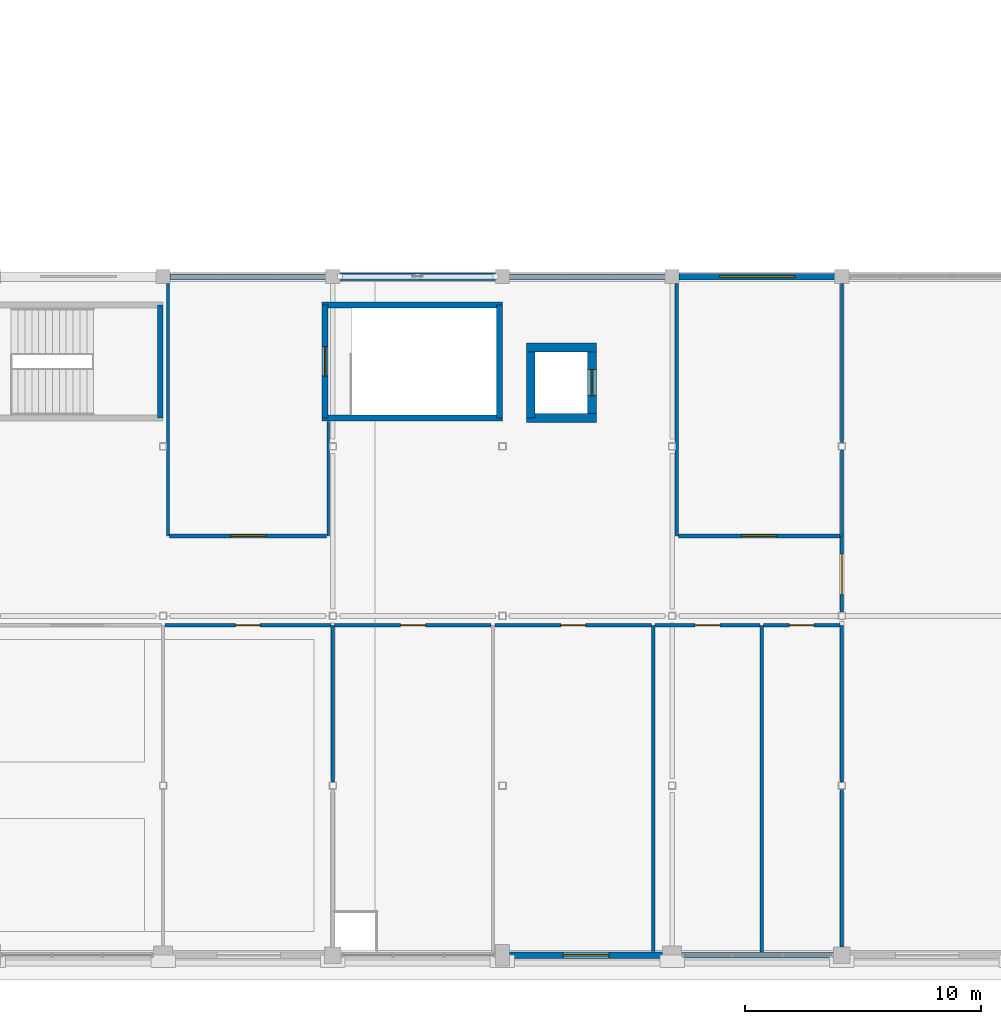
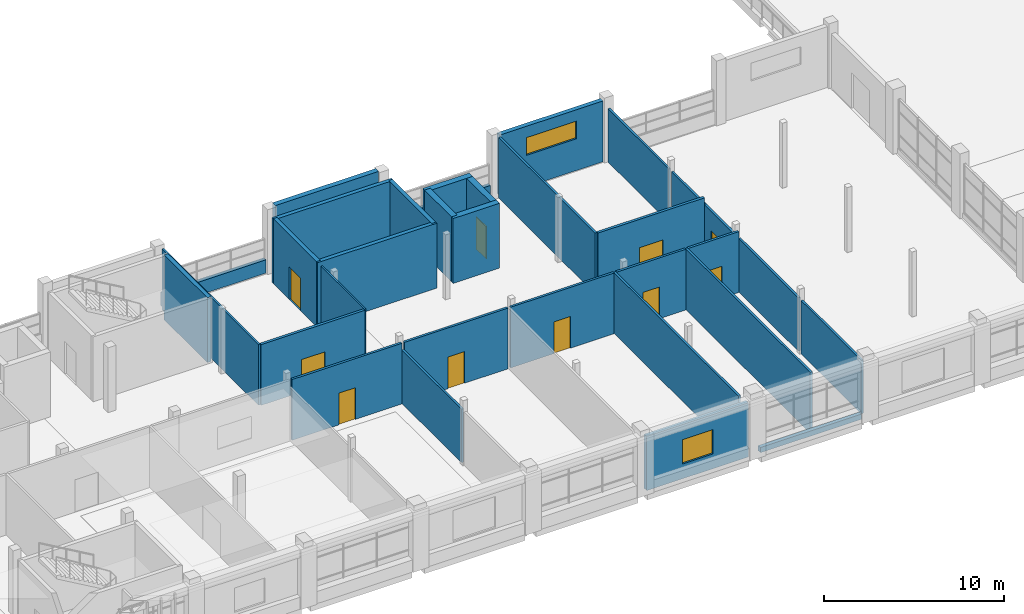
# One storey, part 50 of 71: 33 walls, 10 doors, 2 windows, 12 openings.
"""IFC4 building model written with IfcOpenShell, lengths in metres."""

from ifc_helpers import new_model, si_unit, direction, frame, frame_2d, origin, place, context, subcontext, project, spatial, rectangle, extrude, material, layer, layer_set, type_object, element, fill, save


model = new_model("IFC4")

# Units and contexts
model_context = context("Model", 3, precision=1e-05, world=origin(), true_north=direction((0.0, 1.0)))
body_context = subcontext(model_context, "Body", "Model", "MODEL_VIEW")
ifc_project = project(units=[si_unit("LENGTHUNIT", "METRE"), si_unit("AREAUNIT", "SQUARE_METRE"), si_unit("VOLUMEUNIT", "CUBIC_METRE"), si_unit("PLANEANGLEUNIT", "RADIAN"), si_unit("MASSUNIT", "GRAM", prefix="KILO")], contexts=[model_context])

# Site, building, storey
site_placement = place(None, origin())
site = spatial("IfcSite", under=ifc_project, at=site_placement, CompositionType="ELEMENT")
building_placement = place(site_placement, origin())
building = spatial("IfcBuilding", under=site, at=building_placement, Name="Sardonyx Promenade Sports Hall", CompositionType="ELEMENT")
storey_placement = place(building_placement, frame((0.0, 0.0, 16.0)))
storey = spatial("IfcBuildingStorey", under=building, at=storey_placement, Name="L03", CompositionType="ELEMENT", Elevation=16.0)

# Wall, opening, door
ifc_material_1 = material(Name="Concrete C40/50", Category="concrete")
ifc_layer_1 = layer(ifc_material_1, 0.3798828125)
ifc_layer_set_1 = layer_set([ifc_layer_1], Name="Wall_Core_Shear_380")
wall_type_1 = type_object("IfcWallType", Name="Wall_Core_Shear_380", PredefinedType="SHEAR", material=ifc_layer_set_1)
wall_1_placement = place(storey_placement, frame((83.0, 22.800048828125, 0.0), z_axis=(0.0, 0.0, 1.0), x_axis=(0.0, 1.0, 0.0)))
wall_1 = element("IfcWall", 1, at=wall_1_placement, inside=storey, type_object=wall_type_1, Name="Lift shaft wall LF2 L03 E", PredefinedType="SHEAR", context=body_context, shape_type="SweptSolid", body=[
    extrude(rectangle(XDim=3.0, YDim=0.3798828125, at=frame_2d((1.5, 0.0))), origin(), (0.0, 0.0, 1.0), 4.39990234375),
])
opening_1_placement = place(wall_1_placement, frame((0.949951171875, 0.0, 0.0)))
opening_1 = element("IfcOpeningElement", 2, at=opening_1_placement, cuts=wall_1, Name="Opening LD01", PredefinedType="OPENING", context=body_context, shape_type="SweptSolid", body=[
    extrude(rectangle(XDim=1.10009765625, YDim=2.199951171875, at=frame_2d((0.550048828125, 1.10009765625))), frame((0.0, 0.2, 0.0), z_axis=(0.0, -1.0, 0.0), x_axis=(1.0, 0.0, 0.0)), (0.0, 0.0, 1.0), 0.4),
])
ifc_material_2 = material(Name="Fire-rated stainless steel sliding lift door", Category="steel")
door_type_1 = type_object("IfcDoorType", Name="Door_Lift_Pass_110x220", OperationType="NOTDEFINED", PredefinedType="DOOR", material=ifc_material_2)
door_1_placement = place(opening_1_placement, origin())
door_1 = element("IfcDoor", 3, at=door_1_placement, inside=storey, type_object=door_type_1, Name="Lift landing sliding door LD-LF2-L03", OperationType="SLIDING_TO_LEFT", OverallHeight=2.199951171875, OverallWidth=1.10009765625, PredefinedType="DOOR", context=body_context, shape_type="SweptSolid", body=[
    extrude(rectangle(XDim=1.10009765625, YDim=2.199951171875, at=frame_2d((0.550048828125, 1.10009765625))), frame((0.0, 0.02490234375, 0.0), z_axis=(0.0, -1.0, 0.0), x_axis=(1.0, 0.0, 0.0)), (0.0, 0.0, 1.0), 0.050048828125),
])
fill(opening_1, door_1)

# Walls
wall_2_placement = place(storey_placement, frame((80.2099609375, 25.800048828125, 0.0), z_axis=(0.0, 0.0, 1.0), x_axis=(1.0, 0.0, 0.0)))
element("IfcWall", 4, at=wall_2_placement, inside=storey, type_object=wall_type_1, Name="Lift shaft wall LF2 L03 N", PredefinedType="SHEAR", context=body_context, shape_type="SweptSolid", body=[
    extrude(rectangle(XDim=2.97998046875, YDim=0.3798828125, at=frame_2d((1.489990234375, 0.0))), origin(), (0.0, 0.0, 1.0), 4.39990234375),
])
wall_3_placement = place(storey_placement, frame((80.39990234375, 25.800048828125, 0.0), z_axis=(0.0, 0.0, 1.0), x_axis=(0.0, -1.0, 0.0)))
element("IfcWall", 5, at=wall_3_placement, inside=storey, type_object=wall_type_1, Name="Lift shaft wall LF2 L03 W", PredefinedType="SHEAR", context=body_context, shape_type="SweptSolid", body=[
    extrude(rectangle(XDim=3.0, YDim=0.3798828125, at=frame_2d((1.5, 0.0))), origin(), (0.0, 0.0, 1.0), 4.39990234375),
])
wall_4_placement = place(storey_placement, frame((83.18994140625, 22.800048828125, 0.0), z_axis=(0.0, 0.0, 1.0), x_axis=(-1.0, 0.0, 0.0)))
element("IfcWall", 6, at=wall_4_placement, inside=storey, type_object=wall_type_1, Name="Lift shaft wall LF2 L03 S", PredefinedType="SHEAR", context=body_context, shape_type="SweptSolid", body=[
    extrude(rectangle(XDim=2.97998046875, YDim=0.3798828125, at=frame_2d((1.489990234375, 0.0))), origin(), (0.0, 0.0, 1.0), 4.39990234375),
])
ifc_material_3 = material(Name="Concrete C40/50", Category="concrete")
ifc_layer_2 = layer(ifc_material_3, 0.320068359375)
ifc_layer_set_2 = layer_set([ifc_layer_2], Name="Wall_Ext_Court_320")
wall_type_2 = type_object("IfcWallType", Name="Wall_Ext_Court_320", PredefinedType="SOLIDWALL", material=ifc_layer_set_2)
wall_5_placement = place(storey_placement, frame((72.284912109375, 28.800048828125, 0.0), z_axis=(0.0, 0.0, 1.0), x_axis=(1.0, 0.0, 0.0)))
element("IfcWall", 7, at=wall_5_placement, inside=storey, type_object=wall_type_2, Name="Exterior wall EW01 L03 #260", PredefinedType="SOLIDWALL", context=body_context, shape_type="SweptSolid", body=[
    extrude(rectangle(XDim=6.630126953125, YDim=0.320068359375, at=frame_2d((3.31494140625, 0.0))), origin(), (0.0, 0.0, 1.0), 4.39990234375),
])
ifc_material_4 = material(Name="Masonry CMU 15 MPa", Category="masonry")
ifc_layer_3 = layer(ifc_material_4, 0.239990234375)
ifc_layer_set_3 = layer_set([ifc_layer_3], Name="Wall_Ext_Spandrel_240")
wall_type_3 = type_object("IfcWallType", Name="Wall_Ext_Spandrel_240", PredefinedType="SOLIDWALL", material=ifc_layer_set_3)
wall_6_placement = place(storey_placement, frame((93.264892578125, 0.0, 0.0), z_axis=(0.0, 0.0, 1.0), x_axis=(-1.0, 0.0, 0.0)))
element("IfcWall", 8, at=wall_6_placement, inside=storey, type_object=wall_type_3, Name="Curtain-wall sill spandrel L03 #79", PredefinedType="SOLIDWALL", context=body_context, shape_type="SweptSolid", body=[
    extrude(rectangle(XDim=6.47998046875, YDim=0.239990234375, at=frame_2d((3.239990234375, 0.0))), origin(), (0.0, 0.0, 1.0), 0.35009765625),
])
wall_7_placement = place(storey_placement, frame((65.0849609375, 28.800048828125, 0.0), z_axis=(0.0, 0.0, 1.0), x_axis=(1.0, 0.0, 0.0)))
element("IfcWall", 9, at=wall_7_placement, inside=storey, type_object=wall_type_3, Name="Curtain-wall sill spandrel L03 #259", PredefinedType="SOLIDWALL", context=body_context, shape_type="SweptSolid", body=[
    extrude(rectangle(XDim=6.630126953125, YDim=0.239990234375, at=frame_2d((3.31494140625, 0.0))), origin(), (0.0, 0.0, 1.0), 0.89990234375),
])
wall_8_placement = place(storey_placement, frame((79.485107421875, 28.800048828125, 0.0), z_axis=(0.0, 0.0, 1.0), x_axis=(1.0, 0.0, 0.0)))
element("IfcWall", 10, at=wall_8_placement, inside=storey, type_object=wall_type_3, Name="Curtain-wall sill spandrel L03 #261", PredefinedType="SOLIDWALL", context=body_context, shape_type="SweptSolid", body=[
    extrude(rectangle(XDim=6.6298828125, YDim=0.239990234375, at=frame_2d((3.31494140625, 0.0))), origin(), (0.0, 0.0, 1.0), 0.89990234375),
])

# Wall, opening, window
ifc_material_5 = material(Name="Concrete C40/50", Category="concrete")
ifc_layer_4 = layer(ifc_material_5, 0.280029296875)
ifc_layer_set_4 = layer_set([ifc_layer_4], Name="Wall_Ext_Wing_280")
wall_type_4 = type_object("IfcWallType", Name="Wall_Ext_Wing_280", PredefinedType="SOLIDWALL", material=ifc_layer_set_4)
wall_9_placement = place(storey_placement, frame((86.014892578125, 0.0, 0.0), z_axis=(0.0, 0.0, 1.0), x_axis=(-1.0, 0.0, 0.0)))
wall_9 = element("IfcWall", 11, at=wall_9_placement, inside=storey, type_object=wall_type_4, Name="Exterior wall EW02 L03 #80", PredefinedType="SOLIDWALL", context=body_context, shape_type="SweptSolid", body=[
    extrude(rectangle(XDim=6.52978515625, YDim=0.280029296875, at=frame_2d((3.264892578125, 0.0))), origin(), (0.0, 0.0, 1.0), 3.675048828125),
])
opening_2_placement = place(wall_9_placement, frame((2.2900390625, 0.0, 1.0)))
opening_2 = element("IfcOpeningElement", 12, at=opening_2_placement, cuts=wall_9, Name="Opening W11", PredefinedType="OPENING", context=body_context, shape_type="SweptSolid", body=[
    extrude(rectangle(XDim=1.949951171875, YDim=1.64990234375, at=frame_2d((0.97509765625, 0.824951171875))), frame((0.0, 0.15, 0.0), z_axis=(0.0, -1.0, 0.0), x_axis=(1.0, 0.0, 0.0)), (0.0, 0.0, 1.0), 0.3),
])
ifc_material_6 = material(Name="Double-glazed solar low-E aluminium window", Category="aluminium")
window_type_1 = type_object("IfcWindowType", Name="Win_Office_195x165", PartitioningType="DOUBLE_PANEL_VERTICAL", PredefinedType="WINDOW", material=ifc_material_6)
window_1_placement = place(opening_2_placement, origin())
window_1 = element("IfcWindow", 13, at=window_1_placement, inside=storey, type_object=window_type_1, Name="Facade window W11 L03 #32", OverallHeight=1.64990234375, OverallWidth=1.949951171875, PartitioningType="SINGLE_PANEL", PredefinedType="WINDOW", context=body_context, shape_type="SweptSolid", body=[
    extrude(rectangle(XDim=1.949951171875, YDim=1.64990234375, at=frame_2d((0.97509765625, 0.824951171875))), frame((0.0, 0.030029296875, 0.0), z_axis=(0.0, -1.0, 0.0), x_axis=(1.0, 0.0, 0.0)), (0.0, 0.0, 1.0), 0.06005859375),
])
fill(opening_2, window_1)

wall_10_placement = place(storey_placement, frame((86.68505859375, 28.800048828125, 0.0), z_axis=(0.0, 0.0, 1.0), x_axis=(1.0, 0.0, 0.0)))
wall_10 = element("IfcWall", 14, at=wall_10_placement, inside=storey, type_object=wall_type_4, Name="Exterior wall EW02 L03 #262", PredefinedType="SOLIDWALL", context=body_context, shape_type="SweptSolid", body=[
    extrude(rectangle(XDim=6.6298828125, YDim=0.280029296875, at=frame_2d((3.31494140625, 0.0))), origin(), (0.0, 0.0, 1.0), 4.1201171875),
])
opening_3_placement = place(wall_10_placement, frame((1.715087890625, 0.0, 2.14990234375)))
opening_3 = element("IfcOpeningElement", 15, at=opening_3_placement, cuts=wall_10, Name="Opening W22", PredefinedType="OPENING", context=body_context, shape_type="SweptSolid", body=[
    extrude(rectangle(XDim=3.199951171875, YDim=1.199951171875, at=frame_2d((1.60009765625, 0.60009765625))), frame((0.0, 0.15, 0.0), z_axis=(0.0, -1.0, 0.0), x_axis=(1.0, 0.0, 0.0)), (0.0, 0.0, 1.0), 0.3),
])
ifc_material_7 = material(Name="Double-glazed solar low-E aluminium window", Category="aluminium")
window_type_2 = type_object("IfcWindowType", Name="Win_Clerestory_320x120", PartitioningType="DOUBLE_PANEL_VERTICAL", PredefinedType="WINDOW", material=ifc_material_7)
window_2_placement = place(opening_3_placement, origin())
window_2 = element("IfcWindow", 16, at=window_2_placement, inside=storey, type_object=window_type_2, Name="Facade window W22 L03 #102", OverallHeight=1.199951171875, OverallWidth=3.199951171875, PartitioningType="SINGLE_PANEL", PredefinedType="WINDOW", context=body_context, shape_type="SweptSolid", body=[
    extrude(rectangle(XDim=3.199951171875, YDim=1.199951171875, at=frame_2d((1.60009765625, 0.60009765625))), frame((0.0, 0.030029296875, 0.0), z_axis=(0.0, -1.0, 0.0), x_axis=(1.0, 0.0, 0.0)), (0.0, 0.0, 1.0), 0.06005859375),
])
fill(opening_3, window_2)

# Wall, opening, door
ifc_material_8 = material(Name="Twin-stud acoustic gypsum partition", Category="gypsum")
ifc_layer_5 = layer(ifc_material_8, 0.169921875)
ifc_layer_set_5 = layer_set([ifc_layer_5], Name="Wall_Part_Acoust_170")
wall_type_5 = type_object("IfcWallType", Name="Wall_Part_Acoust_170", PredefinedType="PARTITIONING", material=ifc_layer_set_5)
wall_11_placement = place(storey_placement, frame((65.070068359375, 17.800048828125, 0.0), z_axis=(0.0, 0.0, 1.0), x_axis=(1.0, 0.0, 0.0)))
wall_11 = element("IfcWall", 17, at=wall_11_placement, inside=storey, type_object=wall_type_5, Name="Interior partition PW06 L03 #341", PredefinedType="PARTITIONING", context=body_context, shape_type="SweptSolid", body=[
    extrude(rectangle(XDim=6.669921875, YDim=0.169921875, at=frame_2d((3.3349609375, 0.0))), origin(), (0.0, 0.0, 1.0), 4.1201171875),
])
opening_4_placement = place(wall_11_placement, frame((2.5849609375, 0.0, 0.0)))
opening_4 = element("IfcOpeningElement", 18, at=opening_4_placement, cuts=wall_11, Name="Opening ID10", PredefinedType="OPENING", context=body_context, shape_type="SweptSolid", body=[
    extrude(rectangle(XDim=1.5, YDim=2.199951171875, at=frame_2d((0.75, 1.10009765625))), frame((0.0, 0.095, 0.0), z_axis=(0.0, -1.0, 0.0), x_axis=(1.0, 0.0, 0.0)), (0.0, 0.0, 1.0), 0.19),
])
ifc_material_9 = material(Name="Double studio entrance fire door FD30S", Category="wood")
door_type_2 = type_object("IfcDoorType", Name="Door_Corr_FD30_150x220", OperationType="NOTDEFINED", PredefinedType="DOOR", material=ifc_material_9)
door_2_placement = place(opening_4_placement, origin())
door_2 = element("IfcDoor", 19, at=door_2_placement, inside=storey, type_object=door_type_2, Name="Interior door D03-109", OperationType="DOUBLE_DOOR_SINGLE_SWING", OverallHeight=2.199951171875, OverallWidth=1.5, PredefinedType="DOOR", context=body_context, shape_type="SweptSolid", body=[
    extrude(rectangle(XDim=1.5, YDim=2.199951171875, at=frame_2d((0.75, 1.10009765625))), frame((0.0, 0.02490234375, 0.0), z_axis=(0.0, -1.0, 0.0), x_axis=(1.0, 0.0, 0.0)), (0.0, 0.0, 1.0), 0.050048828125),
])
fill(opening_4, door_2)

wall_12_placement = place(storey_placement, frame((86.679931640625, 17.800048828125, 0.0), z_axis=(0.0, 0.0, 1.0), x_axis=(1.0, 0.0, 0.0)))
wall_12 = element("IfcWall", 20, at=wall_12_placement, inside=storey, type_object=wall_type_5, Name="Interior partition PW06 L03 #342", PredefinedType="PARTITIONING", context=body_context, shape_type="SweptSolid", body=[
    extrude(rectangle(XDim=6.8349609375, YDim=0.169921875, at=frame_2d((3.41748046875, 0.0))), origin(), (0.0, 0.0, 1.0), 4.1201171875),
])
opening_5_placement = place(wall_12_placement, frame((2.66748046875, 0.0, 0.0)))
opening_5 = element("IfcOpeningElement", 21, at=opening_5_placement, cuts=wall_12, Name="Opening ID10", PredefinedType="OPENING", context=body_context, shape_type="SweptSolid", body=[
    extrude(rectangle(XDim=1.5, YDim=2.199951171875, at=frame_2d((0.75, 1.10009765625))), frame((0.0, 0.095, 0.0), z_axis=(0.0, -1.0, 0.0), x_axis=(1.0, 0.0, 0.0)), (0.0, 0.0, 1.0), 0.19),
])
door_3_placement = place(opening_5_placement, origin())
door_3 = element("IfcDoor", 22, at=door_3_placement, inside=storey, type_object=door_type_2, Name="Interior door D03-110", OperationType="DOUBLE_DOOR_SINGLE_SWING", OverallHeight=2.199951171875, OverallWidth=1.5, PredefinedType="DOOR", context=body_context, shape_type="SweptSolid", body=[
    extrude(rectangle(XDim=1.5, YDim=2.199951171875, at=frame_2d((0.75, 1.10009765625))), frame((0.0, 0.02490234375, 0.0), z_axis=(0.0, -1.0, 0.0), x_axis=(1.0, 0.0, 0.0)), (0.0, 0.0, 1.0), 0.050048828125),
])
fill(opening_5, door_3)

# Wall
ifc_material_10 = material(Name="Hygienic clinical stud partition", Category="gypsum")
ifc_layer_6 = layer(ifc_material_10, 0.1201171875)
ifc_layer_set_6 = layer_set([ifc_layer_6], Name="Wall_Part_Clinic_120")
wall_type_6 = type_object("IfcWallType", Name="Wall_Part_Clinic_120", PredefinedType="PARTITIONING", material=ifc_layer_set_6)
wall_13_placement = place(storey_placement, frame((65.0, 17.800048828125, 0.0), z_axis=(0.0, 0.0, 1.0), x_axis=(0.0, 1.0, 0.0)))
element("IfcWall", 23, at=wall_13_placement, inside=storey, type_object=wall_type_6, Name="Interior partition PW02 L03 #320", PredefinedType="PARTITIONING", context=body_context, shape_type="SweptSolid", body=[
    extrude(rectangle(XDim=10.699951171875, YDim=0.1201171875, at=frame_2d((5.35009765625, 0.0))), origin(), (0.0, 0.0, 1.0), 4.1201171875),
])

# Wall, opening, door
ifc_material_11 = material(Name="Fire-rated stud gypsum partition", Category="gypsum")
ifc_layer_7 = layer(ifc_material_11, 0.14990234375)
ifc_layer_set_7 = layer_set([ifc_layer_7], Name="Wall_Part_Corridor_150")
wall_type_7 = type_object("IfcWallType", Name="Wall_Part_Corridor_150", PredefinedType="PARTITIONING", material=ifc_layer_set_7)
wall_14_placement = place(storey_placement, frame((93.60009765625, 14.550048828125, 0.0), z_axis=(0.0, 0.0, 1.0), x_axis=(0.0, 1.0, 0.0)))
wall_14 = element("IfcWall", 24, at=wall_14_placement, inside=storey, type_object=wall_type_7, Name="Interior partition PW04 L03 #326", PredefinedType="PARTITIONING", context=body_context, shape_type="SweptSolid", body=[
    extrude(rectangle(XDim=3.239990234375, YDim=0.14990234375, at=frame_2d((1.6201171875, 0.0))), origin(), (0.0, 0.0, 1.0), 3.6201171875),
])
opening_6_placement = place(wall_14_placement, frame((0.77001953125, 0.0, 0.0)))
opening_6 = element("IfcOpeningElement", 25, at=opening_6_placement, cuts=wall_14, Name="Opening ID03", PredefinedType="OPENING", context=body_context, shape_type="SweptSolid", body=[
    extrude(rectangle(XDim=1.699951171875, YDim=2.300048828125, at=frame_2d((0.85009765625, 1.14990234375))), frame((0.0, 0.085, 0.0), z_axis=(0.0, -1.0, 0.0), x_axis=(1.0, 0.0, 0.0)), (0.0, 0.0, 1.0), 0.17),
])
ifc_material_12 = material(Name="Double changing suite fire door FD30S", Category="wood")
door_type_3 = type_object("IfcDoorType", Name="Door_Corr_FD30_170x230", OperationType="NOTDEFINED", PredefinedType="DOOR", material=ifc_material_12)
door_4_placement = place(opening_6_placement, origin())
door_4 = element("IfcDoor", 26, at=door_4_placement, inside=storey, type_object=door_type_3, Name="Interior door D03-098", OperationType="DOUBLE_DOOR_SINGLE_SWING", OverallHeight=2.300048828125, OverallWidth=1.699951171875, PredefinedType="DOOR", context=body_context, shape_type="SweptSolid", body=[
    extrude(rectangle(XDim=1.699951171875, YDim=2.300048828125, at=frame_2d((0.85009765625, 1.14990234375))), frame((0.0, 0.02490234375, 0.0), z_axis=(0.0, -1.0, 0.0), x_axis=(1.0, 0.0, 0.0)), (0.0, 0.0, 1.0), 0.050048828125),
])
fill(opening_6, door_4)

wall_15_placement = place(storey_placement, frame((64.8701171875, 14.0, 0.0), z_axis=(0.0, 0.0, 1.0), x_axis=(1.0, 0.0, 0.0)))
wall_15 = element("IfcWall", 27, at=wall_15_placement, inside=storey, type_object=wall_type_7, Name="Interior partition PW04 L03 #333", PredefinedType="PARTITIONING", context=body_context, shape_type="SweptSolid", body=[
    extrude(rectangle(XDim=7.0498046875, YDim=0.14990234375, at=frame_2d((3.52490234375, 0.0))), origin(), (0.0, 0.0, 1.0), 4.1201171875),
])
opening_7_placement = place(wall_15_placement, frame((3.0, 0.0, 0.0)))
opening_7 = element("IfcOpeningElement", 28, at=opening_7_placement, cuts=wall_15, Name="Opening ID07", PredefinedType="OPENING", context=body_context, shape_type="SweptSolid", body=[
    extrude(rectangle(XDim=1.050048828125, YDim=2.14990234375, at=frame_2d((0.52490234375, 1.074951171875))), frame((0.0, 0.085, 0.0), z_axis=(0.0, -1.0, 0.0), x_axis=(1.0, 0.0, 0.0)), (0.0, 0.0, 1.0), 0.17),
])
ifc_material_13 = material(Name="Hardwood accessible fire door FD30S", Category="wood")
door_type_4 = type_object("IfcDoorType", Name="Door_Corr_FD30_105x215", OperationType="NOTDEFINED", PredefinedType="DOOR", material=ifc_material_13)
door_5_placement = place(opening_7_placement, origin())
door_5 = element("IfcDoor", 29, at=door_5_placement, inside=storey, type_object=door_type_4, Name="Interior door D03-101", OperationType="SINGLE_SWING_RIGHT", OverallHeight=2.14990234375, OverallWidth=1.050048828125, PredefinedType="DOOR", context=body_context, shape_type="SweptSolid", body=[
    extrude(rectangle(XDim=1.050048828125, YDim=2.14990234375, at=frame_2d((0.52490234375, 1.074951171875))), frame((0.0, 0.02490234375, 0.0), z_axis=(0.0, -1.0, 0.0), x_axis=(1.0, 0.0, 0.0)), (0.0, 0.0, 1.0), 0.050048828125),
])
fill(opening_7, door_5)

wall_16_placement = place(storey_placement, frame((72.080078125, 14.0, 0.0), z_axis=(0.0, 0.0, 1.0), x_axis=(1.0, 0.0, 0.0)))
wall_16 = element("IfcWall", 30, at=wall_16_placement, inside=storey, type_object=wall_type_7, Name="Interior partition PW04 L03 #334", PredefinedType="PARTITIONING", context=body_context, shape_type="SweptSolid", body=[
    extrude(rectangle(XDim=6.639892578125, YDim=0.14990234375, at=frame_2d((3.31982421875, 0.0))), origin(), (0.0, 0.0, 1.0), 4.1201171875),
])
opening_8_placement = place(wall_16_placement, frame((2.794921875, 0.0, 0.0)))
opening_8 = element("IfcOpeningElement", 31, at=opening_8_placement, cuts=wall_16, Name="Opening ID07", PredefinedType="OPENING", context=body_context, shape_type="SweptSolid", body=[
    extrude(rectangle(XDim=1.050048828125, YDim=2.14990234375, at=frame_2d((0.52490234375, 1.074951171875))), frame((0.0, 0.085, 0.0), z_axis=(0.0, -1.0, 0.0), x_axis=(1.0, 0.0, 0.0)), (0.0, 0.0, 1.0), 0.17),
])
door_6_placement = place(opening_8_placement, origin())
door_6 = element("IfcDoor", 32, at=door_6_placement, inside=storey, type_object=door_type_4, Name="Interior door D03-102", OperationType="SINGLE_SWING_LEFT", OverallHeight=2.14990234375, OverallWidth=1.050048828125, PredefinedType="DOOR", context=body_context, shape_type="SweptSolid", body=[
    extrude(rectangle(XDim=1.050048828125, YDim=2.14990234375, at=frame_2d((0.52490234375, 1.074951171875))), frame((0.0, 0.02490234375, 0.0), z_axis=(0.0, -1.0, 0.0), x_axis=(1.0, 0.0, 0.0)), (0.0, 0.0, 1.0), 0.050048828125),
])
fill(opening_8, door_6)

wall_17_placement = place(storey_placement, frame((78.8798828125, 14.0, 0.0), z_axis=(0.0, 0.0, 1.0), x_axis=(1.0, 0.0, 0.0)))
wall_17 = element("IfcWall", 33, at=wall_17_placement, inside=storey, type_object=wall_type_7, Name="Interior partition PW04 L03 #335", PredefinedType="PARTITIONING", context=body_context, shape_type="SweptSolid", body=[
    extrude(rectangle(XDim=6.64013671875, YDim=0.14990234375, at=frame_2d((3.320068359375, 0.0))), origin(), (0.0, 0.0, 1.0), 4.1201171875),
])
opening_9_placement = place(wall_17_placement, frame((2.794921875, 0.0, 0.0)))
opening_9 = element("IfcOpeningElement", 34, at=opening_9_placement, cuts=wall_17, Name="Opening ID07", PredefinedType="OPENING", context=body_context, shape_type="SweptSolid", body=[
    extrude(rectangle(XDim=1.050048828125, YDim=2.14990234375, at=frame_2d((0.52490234375, 1.074951171875))), frame((0.0, 0.085, 0.0), z_axis=(0.0, -1.0, 0.0), x_axis=(1.0, 0.0, 0.0)), (0.0, 0.0, 1.0), 0.17),
])
door_7_placement = place(opening_9_placement, origin())
door_7 = element("IfcDoor", 35, at=door_7_placement, inside=storey, type_object=door_type_4, Name="Interior door D03-103", OperationType="SINGLE_SWING_RIGHT", OverallHeight=2.14990234375, OverallWidth=1.050048828125, PredefinedType="DOOR", context=body_context, shape_type="SweptSolid", body=[
    extrude(rectangle(XDim=1.050048828125, YDim=2.14990234375, at=frame_2d((0.52490234375, 1.074951171875))), frame((0.0, 0.02490234375, 0.0), z_axis=(0.0, -1.0, 0.0), x_axis=(1.0, 0.0, 0.0)), (0.0, 0.0, 1.0), 0.050048828125),
])
fill(opening_9, door_7)

wall_18_placement = place(storey_placement, frame((85.679931640625, 14.0, 0.0), z_axis=(0.0, 0.0, 1.0), x_axis=(1.0, 0.0, 0.0)))
wall_18 = element("IfcWall", 36, at=wall_18_placement, inside=storey, type_object=wall_type_7, Name="Interior partition PW04 L03 #336", PredefinedType="PARTITIONING", context=body_context, shape_type="SweptSolid", body=[
    extrude(rectangle(XDim=4.440185546875, YDim=0.14990234375, at=frame_2d((2.22021484375, 0.0))), origin(), (0.0, 0.0, 1.0), 4.1201171875),
])
opening_10_placement = place(wall_18_placement, frame((1.695068359375, 0.0, 0.0)))
opening_10 = element("IfcOpeningElement", 37, at=opening_10_placement, cuts=wall_18, Name="Opening ID07", PredefinedType="OPENING", context=body_context, shape_type="SweptSolid", body=[
    extrude(rectangle(XDim=1.050048828125, YDim=2.14990234375, at=frame_2d((0.52490234375, 1.074951171875))), frame((0.0, 0.085, 0.0), z_axis=(0.0, -1.0, 0.0), x_axis=(1.0, 0.0, 0.0)), (0.0, 0.0, 1.0), 0.17),
])
door_8_placement = place(opening_10_placement, origin())
door_8 = element("IfcDoor", 38, at=door_8_placement, inside=storey, type_object=door_type_4, Name="Interior door D03-104", OperationType="SINGLE_SWING_LEFT", OverallHeight=2.14990234375, OverallWidth=1.050048828125, PredefinedType="DOOR", context=body_context, shape_type="SweptSolid", body=[
    extrude(rectangle(XDim=1.050048828125, YDim=2.14990234375, at=frame_2d((0.52490234375, 1.074951171875))), frame((0.0, 0.02490234375, 0.0), z_axis=(0.0, -1.0, 0.0), x_axis=(1.0, 0.0, 0.0)), (0.0, 0.0, 1.0), 0.050048828125),
])
fill(opening_10, door_8)

wall_19_placement = place(storey_placement, frame((90.280029296875, 14.0, 0.0), z_axis=(0.0, 0.0, 1.0), x_axis=(1.0, 0.0, 0.0)))
wall_19 = element("IfcWall", 39, at=wall_19_placement, inside=storey, type_object=wall_type_7, Name="Interior partition PW04 L03 #337", PredefinedType="PARTITIONING", context=body_context, shape_type="SweptSolid", body=[
    extrude(rectangle(XDim=3.239990234375, YDim=0.14990234375, at=frame_2d((1.6201171875, 0.0))), origin(), (0.0, 0.0, 1.0), 4.1201171875),
])
opening_11_placement = place(wall_19_placement, frame((1.094970703125, 0.0, 0.0)))
opening_11 = element("IfcOpeningElement", 40, at=opening_11_placement, cuts=wall_19, Name="Opening ID07", PredefinedType="OPENING", context=body_context, shape_type="SweptSolid", body=[
    extrude(rectangle(XDim=1.050048828125, YDim=2.14990234375, at=frame_2d((0.52490234375, 1.074951171875))), frame((0.0, 0.085, 0.0), z_axis=(0.0, -1.0, 0.0), x_axis=(1.0, 0.0, 0.0)), (0.0, 0.0, 1.0), 0.17),
])
door_9_placement = place(opening_11_placement, origin())
door_9 = element("IfcDoor", 41, at=door_9_placement, inside=storey, type_object=door_type_4, Name="Interior door D03-105", OperationType="SINGLE_SWING_RIGHT", OverallHeight=2.14990234375, OverallWidth=1.050048828125, PredefinedType="DOOR", context=body_context, shape_type="SweptSolid", body=[
    extrude(rectangle(XDim=1.050048828125, YDim=2.14990234375, at=frame_2d((0.52490234375, 1.074951171875))), frame((0.0, 0.02490234375, 0.0), z_axis=(0.0, -1.0, 0.0), x_axis=(1.0, 0.0, 0.0)), (0.0, 0.0, 1.0), 0.050048828125),
])
fill(opening_11, door_9)

# Walls
ifc_material_14 = material(Name="Lightweight steel-stud partition", Category="steel")
ifc_layer_8 = layer(ifc_material_14, 0.10009765625)
ifc_layer_set_8 = layer_set([ifc_layer_8], Name="Wall_Part_Light_100")
wall_type_8 = type_object("IfcWallType", Name="Wall_Part_Light_100", PredefinedType="PARTITIONING", material=ifc_layer_set_8)
wall_20_placement = place(storey_placement, frame((71.800048828125, 17.800048828125, 0.0), z_axis=(0.0, 0.0, 1.0), x_axis=(0.0, 1.0, 0.0)))
element("IfcWall", 42, at=wall_20_placement, inside=storey, type_object=wall_type_8, Name="Interior partition PW01 L03 #321", PredefinedType="PARTITIONING", context=body_context, shape_type="SweptSolid", body=[
    extrude(rectangle(XDim=4.849853515625, YDim=0.10009765625, at=frame_2d((2.4248046875, 0.0))), origin(), (0.0, 0.0, 1.0), 4.1201171875),
])
ifc_material_15 = material(Name="Acoustic sports stud partition", Category="gypsum")
ifc_layer_9 = layer(ifc_material_15, 0.1298828125)
ifc_layer_set_9 = layer_set([ifc_layer_9], Name="Wall_Part_Studio_130")
wall_type_9 = type_object("IfcWallType", Name="Wall_Part_Studio_130", PredefinedType="PARTITIONING", material=ifc_layer_set_9)
wall_21_placement = place(storey_placement, frame((93.60009765625, 17.800048828125, 0.0), z_axis=(0.0, 0.0, 1.0), x_axis=(0.0, 1.0, 0.0)))
element("IfcWall", 43, at=wall_21_placement, inside=storey, type_object=wall_type_9, Name="Interior partition PW05 L03 #323", PredefinedType="PARTITIONING", context=body_context, shape_type="SweptSolid", body=[
    extrude(rectangle(XDim=3.64990234375, YDim=0.1298828125, at=frame_2d((1.824951171875, 0.0))), origin(), (0.0, 0.0, 1.0), 3.6201171875),
])
wall_22_placement = place(storey_placement, frame((93.60009765625, 21.75, 0.0), z_axis=(0.0, 0.0, 1.0), x_axis=(0.0, 1.0, 0.0)))
element("IfcWall", 44, at=wall_22_placement, inside=storey, type_object=wall_type_9, Name="Interior partition PW05 L03 #324", PredefinedType="PARTITIONING", context=body_context, shape_type="SweptSolid", body=[
    extrude(rectangle(XDim=6.75, YDim=0.1298828125, at=frame_2d((3.375, 0.0))), origin(), (0.0, 0.0, 1.0), 3.6201171875),
])
ifc_material_16 = material(Name="Moisture-resistant masonry partition", Category="masonry")
ifc_layer_10 = layer(ifc_material_16, 0.139892578125)
ifc_layer_set_10 = layer_set([ifc_layer_10], Name="Wall_Part_Wet_140")
wall_type_10 = type_object("IfcWallType", Name="Wall_Part_Wet_140", PredefinedType="PARTITIONING", material=ifc_layer_set_10)
wall_23_placement = place(storey_placement, frame((72.0, 7.35009765625, 0.0), z_axis=(0.0, 0.0, 1.0), x_axis=(0.0, 1.0, 0.0)))
element("IfcWall", 45, at=wall_23_placement, inside=storey, type_object=wall_type_10, Name="Interior partition PW08 L03 #303", PredefinedType="PARTITIONING", context=body_context, shape_type="SweptSolid", body=[
    extrude(rectangle(XDim=6.64990234375, YDim=0.139892578125, at=frame_2d((3.324951171875, 0.0))), origin(), (0.0, 0.0, 1.0), 3.6201171875),
])
wall_24_placement = place(storey_placement, frame((85.60009765625, 0.14990234375, 0.0), z_axis=(0.0, 0.0, 1.0), x_axis=(0.0, 1.0, 0.0)))
element("IfcWall", 46, at=wall_24_placement, inside=storey, type_object=wall_type_10, Name="Interior partition PW08 L03 #305", PredefinedType="PARTITIONING", context=body_context, shape_type="SweptSolid", body=[
    extrude(rectangle(XDim=13.85009765625, YDim=0.139892578125, at=frame_2d((6.925048828125, 0.0))), origin(), (0.0, 0.0, 1.0), 4.1201171875),
])
wall_25_placement = place(storey_placement, frame((90.199951171875, 0.1298828125, 0.0), z_axis=(0.0, 0.0, 1.0), x_axis=(0.0, 1.0, 0.0)))
element("IfcWall", 47, at=wall_25_placement, inside=storey, type_object=wall_type_10, Name="Interior partition PW08 L03 #306", PredefinedType="PARTITIONING", context=body_context, shape_type="SweptSolid", body=[
    extrude(rectangle(XDim=13.8701171875, YDim=0.139892578125, at=frame_2d((6.93505859375, 0.0))), origin(), (0.0, 0.0, 1.0), 4.1201171875),
])
wall_26_placement = place(storey_placement, frame((93.60009765625, 0.35009765625, 0.0), z_axis=(0.0, 0.0, 1.0), x_axis=(0.0, 1.0, 0.0)))
element("IfcWall", 48, at=wall_26_placement, inside=storey, type_object=wall_type_10, Name="Interior partition PW08 L03 #307", PredefinedType="PARTITIONING", context=body_context, shape_type="SweptSolid", body=[
    extrude(rectangle(XDim=6.699951171875, YDim=0.139892578125, at=frame_2d((3.35009765625, 0.0))), origin(), (0.0, 0.0, 1.0), 3.6201171875),
])
wall_27_placement = place(storey_placement, frame((93.60009765625, 7.35009765625, 0.0), z_axis=(0.0, 0.0, 1.0), x_axis=(0.0, 1.0, 0.0)))
element("IfcWall", 49, at=wall_27_placement, inside=storey, type_object=wall_type_10, Name="Interior partition PW08 L03 #308", PredefinedType="PARTITIONING", context=body_context, shape_type="SweptSolid", body=[
    extrude(rectangle(XDim=6.64990234375, YDim=0.139892578125, at=frame_2d((3.324951171875, 0.0))), origin(), (0.0, 0.0, 1.0), 3.6201171875),
])
wall_28_placement = place(storey_placement, frame((86.60009765625, 17.800048828125, 0.0), z_axis=(0.0, 0.0, 1.0), x_axis=(0.0, 1.0, 0.0)))
element("IfcWall", 50, at=wall_28_placement, inside=storey, type_object=wall_type_10, Name="Interior partition PW08 L03 #322", PredefinedType="PARTITIONING", context=body_context, shape_type="SweptSolid", body=[
    extrude(rectangle(XDim=10.699951171875, YDim=0.139892578125, at=frame_2d((5.35009765625, 0.0))), origin(), (0.0, 0.0, 1.0), 4.1201171875),
])
ifc_material_17 = material(Name="Concrete C40/50", Category="concrete")
ifc_layer_11 = layer(ifc_material_17, 0.25)
ifc_layer_set_11 = layer_set([ifc_layer_11], Name="Wall_Stair_Shear_250")
wall_type_11 = type_object("IfcWallType", Name="Wall_Stair_Shear_250", PredefinedType="SHEAR", material=ifc_layer_set_11)
wall_29_placement = place(storey_placement, frame((64.675048828125, 27.60009765625, 0.0), z_axis=(0.0, 0.0, 1.0), x_axis=(0.0, -1.0, 0.0)))
element("IfcWall", 51, at=wall_29_placement, inside=storey, type_object=wall_type_11, Name="Stair shaft wall ST3 L03 E", PredefinedType="SHEAR", context=body_context, shape_type="SweptSolid", body=[
    extrude(rectangle(XDim=4.800048828125, YDim=0.25, at=frame_2d((2.39990234375, 0.0))), origin(), (0.0, 0.0, 1.0), 4.39990234375),
])

# Wall, opening, door
wall_30_placement = place(storey_placement, frame((71.675048828125, 22.800048828125, 0.0), z_axis=(0.0, 0.0, 1.0), x_axis=(0.0, 1.0, 0.0)))
wall_30 = element("IfcWall", 52, at=wall_30_placement, inside=storey, type_object=wall_type_11, Name="Stair shaft wall ST4 L03 entry", PredefinedType="SHEAR", context=body_context, shape_type="SweptSolid", body=[
    extrude(rectangle(XDim=4.800048828125, YDim=0.25, at=frame_2d((2.39990234375, 0.0))), origin(), (0.0, 0.0, 1.0), 4.39990234375),
])
opening_12_placement = place(wall_30_placement, frame((1.77490234375, 0.0, 0.0)))
opening_12 = element("IfcOpeningElement", 53, at=opening_12_placement, cuts=wall_30, Name="Opening ID13", PredefinedType="OPENING", context=body_context, shape_type="SweptSolid", body=[
    extrude(rectangle(XDim=1.25, YDim=2.199951171875, at=frame_2d((0.625, 1.10009765625))), frame((0.0, 0.135, 0.0), z_axis=(0.0, -1.0, 0.0), x_axis=(1.0, 0.0, 0.0)), (0.0, 0.0, 1.0), 0.27),
])
ifc_material_18 = material(Name="Solid-core hardwood fire door FD60S", Category="wood")
door_type_5 = type_object("IfcDoorType", Name="Door_Stair_FD60_125x220", OperationType="NOTDEFINED", PredefinedType="DOOR", material=ifc_material_18)
door_10_placement = place(opening_12_placement, origin())
door_10 = element("IfcDoor", 54, at=door_10_placement, inside=storey, type_object=door_type_5, Name="Protected stair door SD21 (ST4 L03)", OperationType="SINGLE_SWING_LEFT", OverallHeight=2.199951171875, OverallWidth=1.25, PredefinedType="DOOR", context=body_context, shape_type="SweptSolid", body=[
    extrude(rectangle(XDim=1.25, YDim=2.199951171875, at=frame_2d((0.625, 1.10009765625))), frame((0.0, 0.02490234375, 0.0), z_axis=(0.0, -1.0, 0.0), x_axis=(1.0, 0.0, 0.0)), (0.0, 0.0, 1.0), 0.050048828125),
])
fill(opening_12, door_10)

# Walls
wall_31_placement = place(storey_placement, frame((71.550048828125, 27.60009765625, 0.0), z_axis=(0.0, 0.0, 1.0), x_axis=(1.0, 0.0, 0.0)))
element("IfcWall", 55, at=wall_31_placement, inside=storey, type_object=wall_type_11, Name="Stair shaft wall ST4 L03 N", PredefinedType="SHEAR", context=body_context, shape_type="SweptSolid", body=[
    extrude(rectangle(XDim=7.64990234375, YDim=0.25, at=frame_2d((3.824951171875, 0.0))), origin(), (0.0, 0.0, 1.0), 4.39990234375),
])
wall_32_placement = place(storey_placement, frame((79.074951171875, 27.60009765625, 0.0), z_axis=(0.0, 0.0, 1.0), x_axis=(0.0, -1.0, 0.0)))
element("IfcWall", 56, at=wall_32_placement, inside=storey, type_object=wall_type_11, Name="Stair shaft wall ST4 L03 E", PredefinedType="SHEAR", context=body_context, shape_type="SweptSolid", body=[
    extrude(rectangle(XDim=4.800048828125, YDim=0.25, at=frame_2d((2.39990234375, 0.0))), origin(), (0.0, 0.0, 1.0), 4.39990234375),
])
wall_33_placement = place(storey_placement, frame((79.199951171875, 22.800048828125, 0.0), z_axis=(0.0, 0.0, 1.0), x_axis=(-1.0, 0.0, 0.0)))
element("IfcWall", 57, at=wall_33_placement, inside=storey, type_object=wall_type_11, Name="Stair shaft wall ST4 L03 S", PredefinedType="SHEAR", context=body_context, shape_type="SweptSolid", body=[
    extrude(rectangle(XDim=7.64990234375, YDim=0.25, at=frame_2d((3.824951171875, 0.0))), origin(), (0.0, 0.0, 1.0), 4.39990234375),
])

save(model, "model.ifc")
